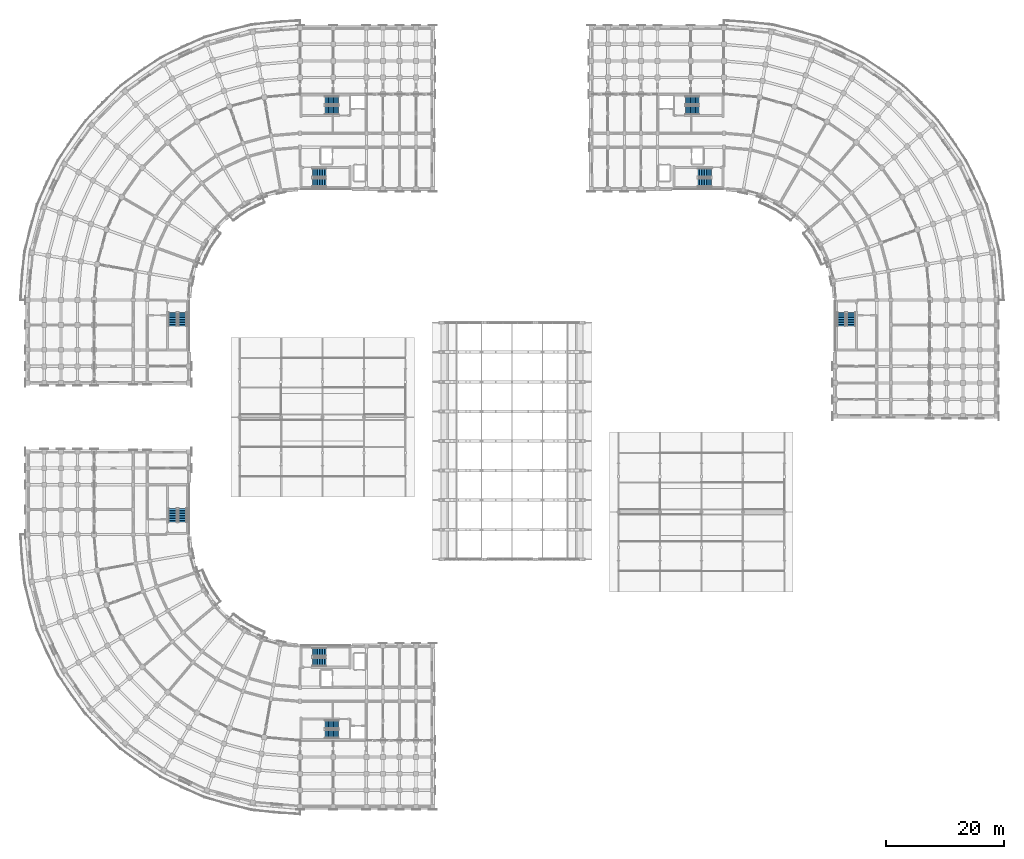
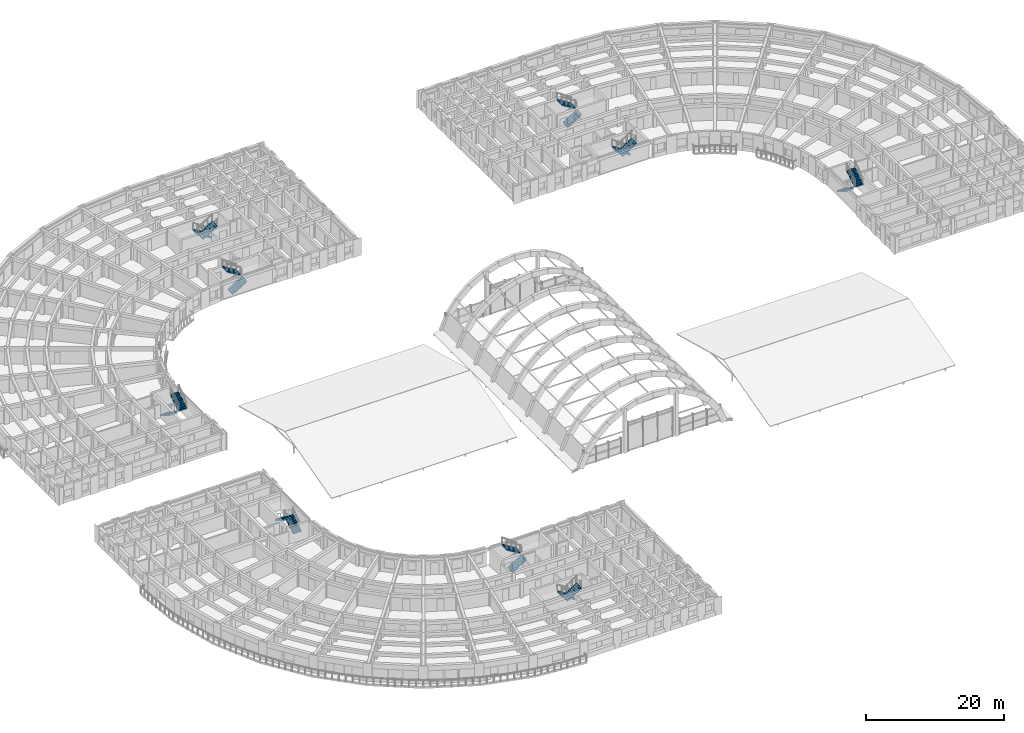
# One storey, part 57 of 76: 18 stair flights, 9 elements without a shape of their own.
"""IFC4 building model written with IfcOpenShell, lengths in metres."""

from ifc_helpers import new_model, si_unit, direction, frame, origin, place, context, subcontext, project, spatial, polyline, outline, extrude, material, type_object, element, aggregate, save


model = new_model("IFC4")

# Units and contexts
model_context = context("Model", 3, precision=1e-05, world=origin(), true_north=direction((0.0, 1.0)))
body_context = subcontext(model_context, "Body", "Model", "MODEL_VIEW")
ifc_project = project(units=[si_unit("LENGTHUNIT", "METRE"), si_unit("AREAUNIT", "SQUARE_METRE"), si_unit("VOLUMEUNIT", "CUBIC_METRE"), si_unit("PLANEANGLEUNIT", "RADIAN"), si_unit("MASSUNIT", "GRAM", prefix="KILO")], contexts=[model_context])

# Site, building, storey
site_placement = place(None, origin())
site = spatial("IfcSite", under=ifc_project, at=site_placement, CompositionType="ELEMENT")
building_placement = place(site_placement, origin())
building = spatial("IfcBuilding", under=site, at=building_placement, Name="Kiranvali Square Residences", CompositionType="ELEMENT")
storey_placement = place(building_placement, frame((0.0, 0.0, 8.699951171875)))
storey = spatial("IfcBuildingStorey", under=building, at=storey_placement, Name="L02", CompositionType="ELEMENT", Elevation=8.699951171875)

# Stair, stair flights
ifc_material = material(Name="Concrete M35 (35 MPa)", Category="concrete")
stair_type = type_object("IfcStairType", Name="ST-CORE-1700", PredefinedType="HALF_TURN_STAIR", material=ifc_material)
stair_1_placement = place(storey_placement, origin())
stair_1 = element("IfcStair", 1, at=stair_1_placement, inside=storey, type_object=stair_type, Name="L02 Block A Firefighting Exit Stair 1", PredefinedType="HALF_TURN_STAIR")
stair_flight_type = type_object("IfcStairFlightType", Name="STF-1700", PredefinedType="STRAIGHT", material=ifc_material)
stair_flight_1_placement = place(storey_placement, frame((54.699951171875, 121.52490234375, 0.0), z_axis=(0.0, 0.0, 1.0), x_axis=(-1.0, 0.0, 0.0)))
stair_flight_1 = element("IfcStairFlight", 2, at=stair_flight_1_placement, type_object=stair_flight_type, Name="ST-A1 flight 1", NumberOfRisers=9, NumberOfTreads=8, PredefinedType="STRAIGHT", RiserHeight=0.175, TreadLength=0.285, context=body_context, shape_type="SweptSolid", body=[
    extrude(outline(polyline([(-0.02001953125, -0.14990234375), (-0.02001953125, 0.0), (0.0, 0.0), (0.0, 0.175048828125), (0.284912109375, 0.175048828125), (0.284912109375, 0.35009765625), (0.570068359375, 0.35009765625), (0.570068359375, 0.52490234375), (0.85498046875, 0.52490234375), (0.85498046875, 0.699951171875), (1.139892578125, 0.699951171875), (1.139892578125, 0.875), (1.425048828125, 0.875), (1.425048828125, 1.050048828125), (1.7099609375, 1.050048828125), (1.7099609375, 1.22509765625), (1.9951171875, 1.22509765625), (1.9951171875, 1.39990234375), (2.280029296875, 1.39990234375), (2.280029296875, 1.574951171875), (2.300048828125, 1.574951171875), (2.300048828125, 1.22412109375), (2.280029296875, 1.22412109375), (0.0, -0.14990234375), (-0.02001953125, -0.14990234375)])), frame((0.0, 0.72509765625, 0.0), z_axis=(0.0, -1.0, 0.0), x_axis=(1.0, 0.0, 0.0)), (0.0, 0.0, 1.0), 1.449951171875),
])
stair_flight_2_placement = place(storey_placement, frame((52.419921875, 119.875, 1.574951171875), z_axis=(0.0, 0.0, 1.0), x_axis=(1.0, 0.0, 0.0)))
stair_flight_2 = element("IfcStairFlight", 3, at=stair_flight_2_placement, type_object=stair_flight_type, Name="ST-A1 flight 2", NumberOfRisers=9, NumberOfTreads=8, PredefinedType="STRAIGHT", RiserHeight=0.175, TreadLength=0.285, context=body_context, shape_type="SweptSolid", body=[
    extrude(outline(polyline([(-0.02001953125, -0.14990234375), (-0.02001953125, 0.0), (0.0, 0.0), (0.0, 0.175048828125), (0.284912109375, 0.175048828125), (0.284912109375, 0.35009765625), (0.570068359375, 0.35009765625), (0.570068359375, 0.52490234375), (0.85498046875, 0.52490234375), (0.85498046875, 0.699951171875), (1.139892578125, 0.699951171875), (1.139892578125, 0.875), (1.425048828125, 0.875), (1.425048828125, 1.050048828125), (1.7099609375, 1.050048828125), (1.7099609375, 1.22509765625), (1.9951171875, 1.22509765625), (1.9951171875, 1.39990234375), (2.280029296875, 1.39990234375), (2.280029296875, 1.574951171875), (2.300048828125, 1.574951171875), (2.300048828125, 1.22412109375), (2.280029296875, 1.22412109375), (0.0, -0.14990234375), (-0.02001953125, -0.14990234375)])), frame((0.0, 0.72509765625, 0.0), z_axis=(0.0, -1.0, 0.0), x_axis=(1.0, 0.0, 0.0)), (0.0, 0.0, 1.0), 1.449951171875),
])
aggregate(stair_1, [stair_flight_1, stair_flight_2])

stair_2_placement = place(storey_placement, origin())
stair_2 = element("IfcStair", 4, at=stair_2_placement, inside=storey, type_object=stair_type, Name="L02 Block A Protected Exit Stair 2", PredefinedType="HALF_TURN_STAIR")
stair_flight_3_placement = place(storey_placement, frame((50.300048828125, 107.675048828125, 0.0), z_axis=(0.0, 0.0, 1.0), x_axis=(1.0, 0.0, 0.0)))
stair_flight_3 = element("IfcStairFlight", 5, at=stair_flight_3_placement, type_object=stair_flight_type, Name="ST-A2 flight 1", NumberOfRisers=9, NumberOfTreads=8, PredefinedType="STRAIGHT", RiserHeight=0.175, TreadLength=0.285, context=body_context, shape_type="SweptSolid", body=[
    extrude(outline(polyline([(-0.02001953125, -0.14990234375), (-0.02001953125, 0.0), (0.0, 0.0), (0.0, 0.175048828125), (0.284912109375, 0.175048828125), (0.284912109375, 0.35009765625), (0.570068359375, 0.35009765625), (0.570068359375, 0.52490234375), (0.85498046875, 0.52490234375), (0.85498046875, 0.699951171875), (1.139892578125, 0.699951171875), (1.139892578125, 0.875), (1.425048828125, 0.875), (1.425048828125, 1.050048828125), (1.7099609375, 1.050048828125), (1.7099609375, 1.22509765625), (1.9951171875, 1.22509765625), (1.9951171875, 1.39990234375), (2.280029296875, 1.39990234375), (2.280029296875, 1.574951171875), (2.300048828125, 1.574951171875), (2.300048828125, 1.22412109375), (2.280029296875, 1.22412109375), (0.0, -0.14990234375), (-0.02001953125, -0.14990234375)])), frame((0.0, 0.72509765625, 0.0), z_axis=(0.0, -1.0, 0.0), x_axis=(1.0, 0.0, 0.0)), (0.0, 0.0, 1.0), 1.449951171875),
])
stair_flight_4_placement = place(storey_placement, frame((52.580078125, 109.324951171875, 1.574951171875), z_axis=(0.0, 0.0, 1.0), x_axis=(-1.0, 0.0, 0.0)))
stair_flight_4 = element("IfcStairFlight", 6, at=stair_flight_4_placement, type_object=stair_flight_type, Name="ST-A2 flight 2", NumberOfRisers=9, NumberOfTreads=8, PredefinedType="STRAIGHT", RiserHeight=0.175, TreadLength=0.285, context=body_context, shape_type="SweptSolid", body=[
    extrude(outline(polyline([(-0.02001953125, -0.14990234375), (-0.02001953125, 0.0), (0.0, 0.0), (0.0, 0.175048828125), (0.284912109375, 0.175048828125), (0.284912109375, 0.35009765625), (0.570068359375, 0.35009765625), (0.570068359375, 0.52490234375), (0.85498046875, 0.52490234375), (0.85498046875, 0.699951171875), (1.139892578125, 0.699951171875), (1.139892578125, 0.875), (1.425048828125, 0.875), (1.425048828125, 1.050048828125), (1.7099609375, 1.050048828125), (1.7099609375, 1.22509765625), (1.9951171875, 1.22509765625), (1.9951171875, 1.39990234375), (2.280029296875, 1.39990234375), (2.280029296875, 1.574951171875), (2.300048828125, 1.574951171875), (2.300048828125, 1.22412109375), (2.280029296875, 1.22412109375), (0.0, -0.14990234375), (-0.02001953125, -0.14990234375)])), frame((0.0, 0.72509765625, 0.0), z_axis=(0.0, -1.0, 0.0), x_axis=(1.0, 0.0, 0.0)), (0.0, 0.0, 1.0), 1.449951171875),
])
aggregate(stair_2, [stair_flight_3, stair_flight_4])

stair_3_placement = place(storey_placement, origin())
stair_3 = element("IfcStair", 7, at=stair_3_placement, inside=storey, type_object=stair_type, Name="L02 Block A Wing Protected Exit Stair 3", PredefinedType="HALF_TURN_STAIR")
stair_flight_5_placement = place(storey_placement, frame((26.675048828125, 85.699951171875, 0.0), z_axis=(0.0, 0.0, 1.0), x_axis=(0.0, -1.0, 0.0)))
stair_flight_5 = element("IfcStairFlight", 8, at=stair_flight_5_placement, type_object=stair_flight_type, Name="ST-A3 flight 1", NumberOfRisers=9, NumberOfTreads=8, PredefinedType="STRAIGHT", RiserHeight=0.175, TreadLength=0.285, context=body_context, shape_type="SweptSolid", body=[
    extrude(outline(polyline([(-0.02001953125, -0.14990234375), (-0.02001953125, 0.0), (0.0, 0.0), (0.0, 0.175048828125), (0.284912109375, 0.175048828125), (0.284912109375, 0.35009765625), (0.570068359375, 0.35009765625), (0.570068359375, 0.52490234375), (0.85498046875, 0.52490234375), (0.85498046875, 0.699951171875), (1.139892578125, 0.699951171875), (1.139892578125, 0.875), (1.425048828125, 0.875), (1.425048828125, 1.050048828125), (1.7099609375, 1.050048828125), (1.7099609375, 1.22509765625), (1.9951171875, 1.22509765625), (1.9951171875, 1.39990234375), (2.280029296875, 1.39990234375), (2.280029296875, 1.574951171875), (2.300048828125, 1.574951171875), (2.300048828125, 1.22412109375), (2.280029296875, 1.22412109375), (0.0, -0.14990234375), (-0.02001953125, -0.14990234375)])), frame((0.0, 0.72509765625, 0.0), z_axis=(0.0, -1.0, 0.0), x_axis=(1.0, 0.0, 0.0)), (0.0, 0.0, 1.0), 1.449951171875),
])
stair_flight_6_placement = place(storey_placement, frame((28.324951171875, 83.419921875, 1.574951171875), z_axis=(0.0, 0.0, 1.0), x_axis=(0.0, 1.0, 0.0)))
stair_flight_6 = element("IfcStairFlight", 9, at=stair_flight_6_placement, type_object=stair_flight_type, Name="ST-A3 flight 2", NumberOfRisers=9, NumberOfTreads=8, PredefinedType="STRAIGHT", RiserHeight=0.175, TreadLength=0.285, context=body_context, shape_type="SweptSolid", body=[
    extrude(outline(polyline([(-0.02001953125, -0.14990234375), (-0.02001953125, 0.0), (0.0, 0.0), (0.0, 0.175048828125), (0.284912109375, 0.175048828125), (0.284912109375, 0.35009765625), (0.570068359375, 0.35009765625), (0.570068359375, 0.52490234375), (0.85498046875, 0.52490234375), (0.85498046875, 0.699951171875), (1.139892578125, 0.699951171875), (1.139892578125, 0.875), (1.425048828125, 0.875), (1.425048828125, 1.050048828125), (1.7099609375, 1.050048828125), (1.7099609375, 1.22509765625), (1.9951171875, 1.22509765625), (1.9951171875, 1.39990234375), (2.280029296875, 1.39990234375), (2.280029296875, 1.574951171875), (2.300048828125, 1.574951171875), (2.300048828125, 1.22412109375), (2.280029296875, 1.22412109375), (0.0, -0.14990234375), (-0.02001953125, -0.14990234375)])), frame((0.0, 0.72509765625, 0.0), z_axis=(0.0, -1.0, 0.0), x_axis=(1.0, 0.0, 0.0)), (0.0, 0.0, 1.0), 1.449951171875),
])
aggregate(stair_3, [stair_flight_5, stair_flight_6])

stair_4_placement = place(storey_placement, origin())
stair_4 = element("IfcStair", 10, at=stair_4_placement, inside=storey, type_object=stair_type, Name="L02 Block B Firefighting Exit Stair 1", PredefinedType="HALF_TURN_STAIR")
stair_flight_7_placement = place(storey_placement, frame((113.300048828125, 119.875, 0.0), z_axis=(0.0, 0.0, 1.0), x_axis=(1.0, 0.0, 0.0)))
stair_flight_7 = element("IfcStairFlight", 11, at=stair_flight_7_placement, type_object=stair_flight_type, Name="ST-B1 flight 1", NumberOfRisers=9, NumberOfTreads=8, PredefinedType="STRAIGHT", RiserHeight=0.175, TreadLength=0.285, context=body_context, shape_type="SweptSolid", body=[
    extrude(outline(polyline([(-0.02001953125, -0.14990234375), (-0.02001953125, 0.0), (0.0, 0.0), (0.0, 0.175048828125), (0.284912109375, 0.175048828125), (0.284912109375, 0.35009765625), (0.570068359375, 0.35009765625), (0.570068359375, 0.52490234375), (0.85498046875, 0.52490234375), (0.85498046875, 0.699951171875), (1.139892578125, 0.699951171875), (1.139892578125, 0.875), (1.425048828125, 0.875), (1.425048828125, 1.050048828125), (1.7099609375, 1.050048828125), (1.7099609375, 1.22509765625), (1.9951171875, 1.22509765625), (1.9951171875, 1.39990234375), (2.280029296875, 1.39990234375), (2.280029296875, 1.574951171875), (2.300048828125, 1.574951171875), (2.300048828125, 1.22412109375), (2.280029296875, 1.22412109375), (0.0, -0.14990234375), (-0.02001953125, -0.14990234375)])), frame((0.0, 0.72509765625, 0.0), z_axis=(0.0, -1.0, 0.0), x_axis=(1.0, 0.0, 0.0)), (0.0, 0.0, 1.0), 1.449951171875),
])
stair_flight_8_placement = place(storey_placement, frame((115.580078125, 121.52490234375, 1.574951171875), z_axis=(0.0, 0.0, 1.0), x_axis=(-1.0, 0.0, 0.0)))
stair_flight_8 = element("IfcStairFlight", 12, at=stair_flight_8_placement, type_object=stair_flight_type, Name="ST-B1 flight 2", NumberOfRisers=9, NumberOfTreads=8, PredefinedType="STRAIGHT", RiserHeight=0.175, TreadLength=0.285, context=body_context, shape_type="SweptSolid", body=[
    extrude(outline(polyline([(-0.02001953125, -0.14990234375), (-0.02001953125, 0.0), (0.0, 0.0), (0.0, 0.175048828125), (0.284912109375, 0.175048828125), (0.284912109375, 0.35009765625), (0.570068359375, 0.35009765625), (0.570068359375, 0.52490234375), (0.85498046875, 0.52490234375), (0.85498046875, 0.699951171875), (1.139892578125, 0.699951171875), (1.139892578125, 0.875), (1.425048828125, 0.875), (1.425048828125, 1.050048828125), (1.7099609375, 1.050048828125), (1.7099609375, 1.22509765625), (1.9951171875, 1.22509765625), (1.9951171875, 1.39990234375), (2.280029296875, 1.39990234375), (2.280029296875, 1.574951171875), (2.300048828125, 1.574951171875), (2.300048828125, 1.22412109375), (2.280029296875, 1.22412109375), (0.0, -0.14990234375), (-0.02001953125, -0.14990234375)])), frame((0.0, 0.72509765625, 0.0), z_axis=(0.0, -1.0, 0.0), x_axis=(1.0, 0.0, 0.0)), (0.0, 0.0, 1.0), 1.449951171875),
])
aggregate(stair_4, [stair_flight_7, stair_flight_8])

stair_5_placement = place(storey_placement, origin())
stair_5 = element("IfcStair", 13, at=stair_5_placement, inside=storey, type_object=stair_type, Name="L02 Block B Protected Exit Stair 2", PredefinedType="HALF_TURN_STAIR")
stair_flight_9_placement = place(storey_placement, frame((117.699951171875, 109.324951171875, 0.0), z_axis=(0.0, 0.0, 1.0), x_axis=(-1.0, 0.0, 0.0)))
stair_flight_9 = element("IfcStairFlight", 14, at=stair_flight_9_placement, type_object=stair_flight_type, Name="ST-B2 flight 1", NumberOfRisers=9, NumberOfTreads=8, PredefinedType="STRAIGHT", RiserHeight=0.175, TreadLength=0.285, context=body_context, shape_type="SweptSolid", body=[
    extrude(outline(polyline([(-0.02001953125, -0.14990234375), (-0.02001953125, 0.0), (0.0, 0.0), (0.0, 0.175048828125), (0.284912109375, 0.175048828125), (0.284912109375, 0.35009765625), (0.570068359375, 0.35009765625), (0.570068359375, 0.52490234375), (0.85498046875, 0.52490234375), (0.85498046875, 0.699951171875), (1.139892578125, 0.699951171875), (1.139892578125, 0.875), (1.425048828125, 0.875), (1.425048828125, 1.050048828125), (1.7099609375, 1.050048828125), (1.7099609375, 1.22509765625), (1.9951171875, 1.22509765625), (1.9951171875, 1.39990234375), (2.280029296875, 1.39990234375), (2.280029296875, 1.574951171875), (2.300048828125, 1.574951171875), (2.300048828125, 1.22412109375), (2.280029296875, 1.22412109375), (0.0, -0.14990234375), (-0.02001953125, -0.14990234375)])), frame((0.0, 0.72509765625, 0.0), z_axis=(0.0, -1.0, 0.0), x_axis=(1.0, 0.0, 0.0)), (0.0, 0.0, 1.0), 1.449951171875),
])
stair_flight_10_placement = place(storey_placement, frame((115.419921875, 107.675048828125, 1.574951171875), z_axis=(0.0, 0.0, 1.0), x_axis=(1.0, 0.0, 0.0)))
stair_flight_10 = element("IfcStairFlight", 15, at=stair_flight_10_placement, type_object=stair_flight_type, Name="ST-B2 flight 2", NumberOfRisers=9, NumberOfTreads=8, PredefinedType="STRAIGHT", RiserHeight=0.175, TreadLength=0.285, context=body_context, shape_type="SweptSolid", body=[
    extrude(outline(polyline([(-0.02001953125, -0.14990234375), (-0.02001953125, 0.0), (0.0, 0.0), (0.0, 0.175048828125), (0.284912109375, 0.175048828125), (0.284912109375, 0.35009765625), (0.570068359375, 0.35009765625), (0.570068359375, 0.52490234375), (0.85498046875, 0.52490234375), (0.85498046875, 0.699951171875), (1.139892578125, 0.699951171875), (1.139892578125, 0.875), (1.425048828125, 0.875), (1.425048828125, 1.050048828125), (1.7099609375, 1.050048828125), (1.7099609375, 1.22509765625), (1.9951171875, 1.22509765625), (1.9951171875, 1.39990234375), (2.280029296875, 1.39990234375), (2.280029296875, 1.574951171875), (2.300048828125, 1.574951171875), (2.300048828125, 1.22412109375), (2.280029296875, 1.22412109375), (0.0, -0.14990234375), (-0.02001953125, -0.14990234375)])), frame((0.0, 0.72509765625, 0.0), z_axis=(0.0, -1.0, 0.0), x_axis=(1.0, 0.0, 0.0)), (0.0, 0.0, 1.0), 1.449951171875),
])
aggregate(stair_5, [stair_flight_9, stair_flight_10])

stair_6_placement = place(storey_placement, origin())
stair_6 = element("IfcStair", 16, at=stair_6_placement, inside=storey, type_object=stair_type, Name="L02 Block B Wing Protected Exit Stair 3", PredefinedType="HALF_TURN_STAIR")
stair_flight_11_placement = place(storey_placement, frame((139.675048828125, 85.699951171875, 0.0), z_axis=(0.0, 0.0, 1.0), x_axis=(0.0, -1.0, 0.0)))
stair_flight_11 = element("IfcStairFlight", 17, at=stair_flight_11_placement, type_object=stair_flight_type, Name="ST-B3 flight 1", NumberOfRisers=9, NumberOfTreads=8, PredefinedType="STRAIGHT", RiserHeight=0.175, TreadLength=0.285, context=body_context, shape_type="SweptSolid", body=[
    extrude(outline(polyline([(-0.02001953125, -0.14990234375), (-0.02001953125, 0.0), (0.0, 0.0), (0.0, 0.175048828125), (0.284912109375, 0.175048828125), (0.284912109375, 0.35009765625), (0.570068359375, 0.35009765625), (0.570068359375, 0.52490234375), (0.85498046875, 0.52490234375), (0.85498046875, 0.699951171875), (1.139892578125, 0.699951171875), (1.139892578125, 0.875), (1.425048828125, 0.875), (1.425048828125, 1.050048828125), (1.7099609375, 1.050048828125), (1.7099609375, 1.22509765625), (1.9951171875, 1.22509765625), (1.9951171875, 1.39990234375), (2.280029296875, 1.39990234375), (2.280029296875, 1.574951171875), (2.300048828125, 1.574951171875), (2.300048828125, 1.22412109375), (2.280029296875, 1.22412109375), (0.0, -0.14990234375), (-0.02001953125, -0.14990234375)])), frame((0.0, 0.72509765625, 0.0), z_axis=(0.0, -1.0, 0.0), x_axis=(1.0, 0.0, 0.0)), (0.0, 0.0, 1.0), 1.449951171875),
])
stair_flight_12_placement = place(storey_placement, frame((141.324951171875, 83.419921875, 1.574951171875), z_axis=(0.0, 0.0, 1.0), x_axis=(0.0, 1.0, 0.0)))
stair_flight_12 = element("IfcStairFlight", 18, at=stair_flight_12_placement, type_object=stair_flight_type, Name="ST-B3 flight 2", NumberOfRisers=9, NumberOfTreads=8, PredefinedType="STRAIGHT", RiserHeight=0.175, TreadLength=0.285, context=body_context, shape_type="SweptSolid", body=[
    extrude(outline(polyline([(-0.02001953125, -0.14990234375), (-0.02001953125, 0.0), (0.0, 0.0), (0.0, 0.175048828125), (0.284912109375, 0.175048828125), (0.284912109375, 0.35009765625), (0.570068359375, 0.35009765625), (0.570068359375, 0.52490234375), (0.85498046875, 0.52490234375), (0.85498046875, 0.699951171875), (1.139892578125, 0.699951171875), (1.139892578125, 0.875), (1.425048828125, 0.875), (1.425048828125, 1.050048828125), (1.7099609375, 1.050048828125), (1.7099609375, 1.22509765625), (1.9951171875, 1.22509765625), (1.9951171875, 1.39990234375), (2.280029296875, 1.39990234375), (2.280029296875, 1.574951171875), (2.300048828125, 1.574951171875), (2.300048828125, 1.22412109375), (2.280029296875, 1.22412109375), (0.0, -0.14990234375), (-0.02001953125, -0.14990234375)])), frame((0.0, 0.72509765625, 0.0), z_axis=(0.0, -1.0, 0.0), x_axis=(1.0, 0.0, 0.0)), (0.0, 0.0, 1.0), 1.449951171875),
])
aggregate(stair_6, [stair_flight_11, stair_flight_12])

stair_7_placement = place(storey_placement, origin())
stair_7 = element("IfcStair", 19, at=stair_7_placement, inside=storey, type_object=stair_type, Name="L02 Block C Firefighting Exit Stair 1", PredefinedType="HALF_TURN_STAIR")
stair_flight_13_placement = place(storey_placement, frame((54.699951171875, 16.125, 0.0), z_axis=(0.0, 0.0, 1.0), x_axis=(-1.0, 0.0, 0.0)))
stair_flight_13 = element("IfcStairFlight", 20, at=stair_flight_13_placement, type_object=stair_flight_type, Name="ST-C1 flight 1", NumberOfRisers=9, NumberOfTreads=8, PredefinedType="STRAIGHT", RiserHeight=0.175, TreadLength=0.285, context=body_context, shape_type="SweptSolid", body=[
    extrude(outline(polyline([(-0.02001953125, -0.14990234375), (-0.02001953125, 0.0), (0.0, 0.0), (0.0, 0.175048828125), (0.284912109375, 0.175048828125), (0.284912109375, 0.35009765625), (0.570068359375, 0.35009765625), (0.570068359375, 0.52490234375), (0.85498046875, 0.52490234375), (0.85498046875, 0.699951171875), (1.139892578125, 0.699951171875), (1.139892578125, 0.875), (1.425048828125, 0.875), (1.425048828125, 1.050048828125), (1.7099609375, 1.050048828125), (1.7099609375, 1.22509765625), (1.9951171875, 1.22509765625), (1.9951171875, 1.39990234375), (2.280029296875, 1.39990234375), (2.280029296875, 1.574951171875), (2.300048828125, 1.574951171875), (2.300048828125, 1.22412109375), (2.280029296875, 1.22412109375), (0.0, -0.14990234375), (-0.02001953125, -0.14990234375)])), frame((0.0, 0.72509765625, 0.0), z_axis=(0.0, -1.0, 0.0), x_axis=(1.0, 0.0, 0.0)), (0.0, 0.0, 1.0), 1.449951171875),
])
stair_flight_14_placement = place(storey_placement, frame((52.419921875, 14.47509765625, 1.574951171875), z_axis=(0.0, 0.0, 1.0), x_axis=(1.0, 0.0, 0.0)))
stair_flight_14 = element("IfcStairFlight", 21, at=stair_flight_14_placement, type_object=stair_flight_type, Name="ST-C1 flight 2", NumberOfRisers=9, NumberOfTreads=8, PredefinedType="STRAIGHT", RiserHeight=0.175, TreadLength=0.285, context=body_context, shape_type="SweptSolid", body=[
    extrude(outline(polyline([(-0.02001953125, -0.14990234375), (-0.02001953125, 0.0), (0.0, 0.0), (0.0, 0.175048828125), (0.284912109375, 0.175048828125), (0.284912109375, 0.35009765625), (0.570068359375, 0.35009765625), (0.570068359375, 0.52490234375), (0.85498046875, 0.52490234375), (0.85498046875, 0.699951171875), (1.139892578125, 0.699951171875), (1.139892578125, 0.875), (1.425048828125, 0.875), (1.425048828125, 1.050048828125), (1.7099609375, 1.050048828125), (1.7099609375, 1.22509765625), (1.9951171875, 1.22509765625), (1.9951171875, 1.39990234375), (2.280029296875, 1.39990234375), (2.280029296875, 1.574951171875), (2.300048828125, 1.574951171875), (2.300048828125, 1.22412109375), (2.280029296875, 1.22412109375), (0.0, -0.14990234375), (-0.02001953125, -0.14990234375)])), frame((0.0, 0.72509765625, 0.0), z_axis=(0.0, -1.0, 0.0), x_axis=(1.0, 0.0, 0.0)), (0.0, 0.0, 1.0), 1.449951171875),
])
aggregate(stair_7, [stair_flight_13, stair_flight_14])

stair_8_placement = place(storey_placement, origin())
stair_8 = element("IfcStair", 22, at=stair_8_placement, inside=storey, type_object=stair_type, Name="L02 Block C Protected Exit Stair 2", PredefinedType="HALF_TURN_STAIR")
stair_flight_15_placement = place(storey_placement, frame((50.300048828125, 26.675048828125, 0.0), z_axis=(0.0, 0.0, 1.0), x_axis=(1.0, 0.0, 0.0)))
stair_flight_15 = element("IfcStairFlight", 23, at=stair_flight_15_placement, type_object=stair_flight_type, Name="ST-C2 flight 1", NumberOfRisers=9, NumberOfTreads=8, PredefinedType="STRAIGHT", RiserHeight=0.175, TreadLength=0.285, context=body_context, shape_type="SweptSolid", body=[
    extrude(outline(polyline([(-0.02001953125, -0.14990234375), (-0.02001953125, 0.0), (0.0, 0.0), (0.0, 0.175048828125), (0.284912109375, 0.175048828125), (0.284912109375, 0.35009765625), (0.570068359375, 0.35009765625), (0.570068359375, 0.52490234375), (0.85498046875, 0.52490234375), (0.85498046875, 0.699951171875), (1.139892578125, 0.699951171875), (1.139892578125, 0.875), (1.425048828125, 0.875), (1.425048828125, 1.050048828125), (1.7099609375, 1.050048828125), (1.7099609375, 1.22509765625), (1.9951171875, 1.22509765625), (1.9951171875, 1.39990234375), (2.280029296875, 1.39990234375), (2.280029296875, 1.574951171875), (2.300048828125, 1.574951171875), (2.300048828125, 1.22412109375), (2.280029296875, 1.22412109375), (0.0, -0.14990234375), (-0.02001953125, -0.14990234375)])), frame((0.0, 0.72509765625, 0.0), z_axis=(0.0, -1.0, 0.0), x_axis=(1.0, 0.0, 0.0)), (0.0, 0.0, 1.0), 1.449951171875),
])
stair_flight_16_placement = place(storey_placement, frame((52.580078125, 28.324951171875, 1.574951171875), z_axis=(0.0, 0.0, 1.0), x_axis=(-1.0, 0.0, 0.0)))
stair_flight_16 = element("IfcStairFlight", 24, at=stair_flight_16_placement, type_object=stair_flight_type, Name="ST-C2 flight 2", NumberOfRisers=9, NumberOfTreads=8, PredefinedType="STRAIGHT", RiserHeight=0.175, TreadLength=0.285, context=body_context, shape_type="SweptSolid", body=[
    extrude(outline(polyline([(-0.02001953125, -0.14990234375), (-0.02001953125, 0.0), (0.0, 0.0), (0.0, 0.175048828125), (0.284912109375, 0.175048828125), (0.284912109375, 0.35009765625), (0.570068359375, 0.35009765625), (0.570068359375, 0.52490234375), (0.85498046875, 0.52490234375), (0.85498046875, 0.699951171875), (1.139892578125, 0.699951171875), (1.139892578125, 0.875), (1.425048828125, 0.875), (1.425048828125, 1.050048828125), (1.7099609375, 1.050048828125), (1.7099609375, 1.22509765625), (1.9951171875, 1.22509765625), (1.9951171875, 1.39990234375), (2.280029296875, 1.39990234375), (2.280029296875, 1.574951171875), (2.300048828125, 1.574951171875), (2.300048828125, 1.22412109375), (2.280029296875, 1.22412109375), (0.0, -0.14990234375), (-0.02001953125, -0.14990234375)])), frame((0.0, 0.72509765625, 0.0), z_axis=(0.0, -1.0, 0.0), x_axis=(1.0, 0.0, 0.0)), (0.0, 0.0, 1.0), 1.449951171875),
])
aggregate(stair_8, [stair_flight_15, stair_flight_16])

stair_9_placement = place(storey_placement, origin())
stair_9 = element("IfcStair", 25, at=stair_9_placement, inside=storey, type_object=stair_type, Name="L02 Block C Wing Protected Exit Stair 3", PredefinedType="HALF_TURN_STAIR")
stair_flight_17_placement = place(storey_placement, frame((28.324951171875, 50.300048828125, 0.0), z_axis=(0.0, 0.0, 1.0), x_axis=(0.0, 1.0, 0.0)))
stair_flight_17 = element("IfcStairFlight", 26, at=stair_flight_17_placement, type_object=stair_flight_type, Name="ST-C3 flight 1", NumberOfRisers=9, NumberOfTreads=8, PredefinedType="STRAIGHT", RiserHeight=0.175, TreadLength=0.285, context=body_context, shape_type="SweptSolid", body=[
    extrude(outline(polyline([(-0.02001953125, -0.14990234375), (-0.02001953125, 0.0), (0.0, 0.0), (0.0, 0.175048828125), (0.284912109375, 0.175048828125), (0.284912109375, 0.35009765625), (0.570068359375, 0.35009765625), (0.570068359375, 0.52490234375), (0.85498046875, 0.52490234375), (0.85498046875, 0.699951171875), (1.139892578125, 0.699951171875), (1.139892578125, 0.875), (1.425048828125, 0.875), (1.425048828125, 1.050048828125), (1.7099609375, 1.050048828125), (1.7099609375, 1.22509765625), (1.9951171875, 1.22509765625), (1.9951171875, 1.39990234375), (2.280029296875, 1.39990234375), (2.280029296875, 1.574951171875), (2.300048828125, 1.574951171875), (2.300048828125, 1.22412109375), (2.280029296875, 1.22412109375), (0.0, -0.14990234375), (-0.02001953125, -0.14990234375)])), frame((0.0, 0.72509765625, 0.0), z_axis=(0.0, -1.0, 0.0), x_axis=(1.0, 0.0, 0.0)), (0.0, 0.0, 1.0), 1.449951171875),
])
stair_flight_18_placement = place(storey_placement, frame((26.675048828125, 52.580078125, 1.574951171875), z_axis=(0.0, 0.0, 1.0), x_axis=(0.0, -1.0, 0.0)))
stair_flight_18 = element("IfcStairFlight", 27, at=stair_flight_18_placement, type_object=stair_flight_type, Name="ST-C3 flight 2", NumberOfRisers=9, NumberOfTreads=8, PredefinedType="STRAIGHT", RiserHeight=0.175, TreadLength=0.285, context=body_context, shape_type="SweptSolid", body=[
    extrude(outline(polyline([(-0.02001953125, -0.14990234375), (-0.02001953125, 0.0), (0.0, 0.0), (0.0, 0.175048828125), (0.284912109375, 0.175048828125), (0.284912109375, 0.35009765625), (0.570068359375, 0.35009765625), (0.570068359375, 0.52490234375), (0.85498046875, 0.52490234375), (0.85498046875, 0.699951171875), (1.139892578125, 0.699951171875), (1.139892578125, 0.875), (1.425048828125, 0.875), (1.425048828125, 1.050048828125), (1.7099609375, 1.050048828125), (1.7099609375, 1.22509765625), (1.9951171875, 1.22509765625), (1.9951171875, 1.39990234375), (2.280029296875, 1.39990234375), (2.280029296875, 1.574951171875), (2.300048828125, 1.574951171875), (2.300048828125, 1.22412109375), (2.280029296875, 1.22412109375), (0.0, -0.14990234375), (-0.02001953125, -0.14990234375)])), frame((0.0, 0.72509765625, 0.0), z_axis=(0.0, -1.0, 0.0), x_axis=(1.0, 0.0, 0.0)), (0.0, 0.0, 1.0), 1.449951171875),
])
aggregate(stair_9, [stair_flight_17, stair_flight_18])

save(model, "model.ifc")
